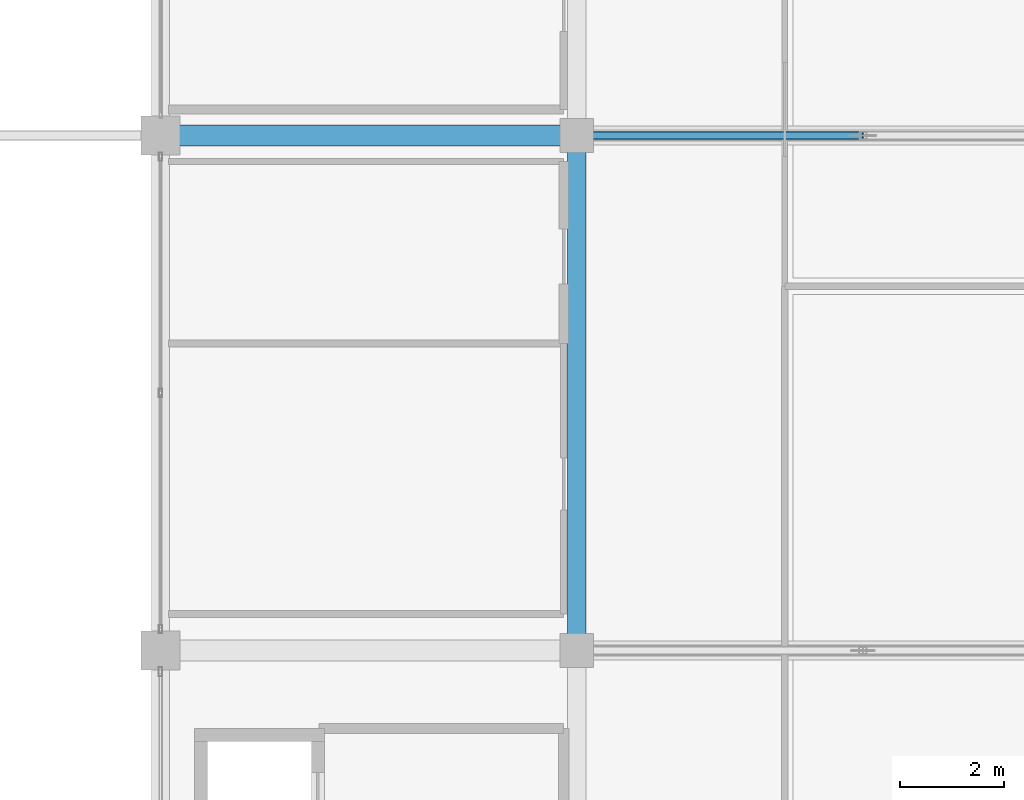
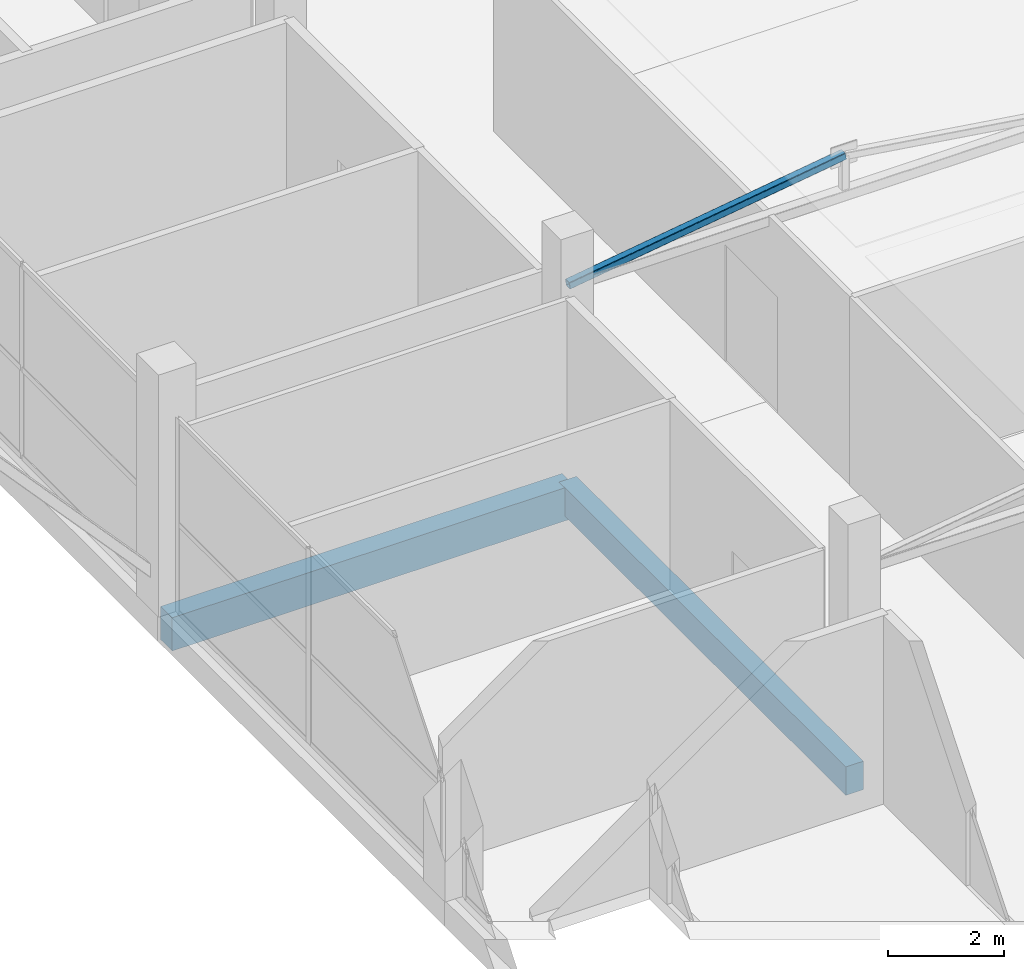
# One storey, part 20 of 67: 2 beams, 1 member.
"""IFC4 building model written with IfcOpenShell, lengths in metres."""

from ifc_helpers import new_model, si_unit, direction, frame, origin, origin_2d, place, context, subcontext, project, spatial, rectangle, hollow_rectangle, extrude, material, material_profile, profile_set, type_object, element, save


model = new_model("IFC4")

# Units and contexts
model_context = context("Model", 3, precision=1e-05, world=origin(), true_north=direction((0.0, 1.0)))
body_context = subcontext(model_context, "Body", "Model", "MODEL_VIEW")
ifc_project = project(units=[si_unit("LENGTHUNIT", "METRE"), si_unit("AREAUNIT", "SQUARE_METRE"), si_unit("VOLUMEUNIT", "CUBIC_METRE"), si_unit("PLANEANGLEUNIT", "RADIAN"), si_unit("MASSUNIT", "GRAM", prefix="KILO")], contexts=[model_context])

# Site, building, storey
site_placement = place(None, origin())
site = spatial("IfcSite", under=ifc_project, at=site_placement, CompositionType="ELEMENT")
building_placement = place(site_placement, origin())
building = spatial("IfcBuilding", under=site, at=building_placement, Name="Sillaruma Civic Art Gallery", CompositionType="ELEMENT")
storey_placement = place(building_placement, frame((0.0, 0.0, 46.919921875)))
storey = spatial("IfcBuildingStorey", under=building, at=storey_placement, Name="L09", CompositionType="ELEMENT", Elevation=46.919921875)

# Beams
ifc_material_1 = material(Name="Concrete H35 (35 MPa)", Category="concrete")
ifc_material_profile_1 = material_profile(ifc_material_1, rectangle(XDim=0.35009765625, YDim=0.60009765625, at=origin_2d()), Name="RCB350x600")
ifc_profile_set_1 = profile_set([ifc_material_profile_1], Name="Concrete H35 (35 MPa)")
beam_type_1 = type_object("IfcBeamType", Name="BM-BEAM-RCB350x600", PredefinedType="BEAM", material=ifc_profile_set_1)
beam_1_placement = place(storey_placement, frame((70.0, 49.5, -0.5498046875), z_axis=(0.0, 1.0, 0.0), x_axis=(-1.0, 0.0, 0.0)))
element("IfcBeam", 1, at=beam_1_placement, inside=storey, type_object=beam_type_1, Name="Beam BM-06 (L08:G:6-7)", PredefinedType="BEAM", context=body_context, shape_type="SweptSolid", body=[
    extrude(rectangle(XDim=0.35009765625, YDim=0.60009765625, at=origin_2d()), origin(), (0.0, 0.0, 1.0), 9.89990234375),
])
ifc_material_profile_2 = material_profile(ifc_material_1, rectangle(XDim=0.39990234375, YDim=0.699951171875, at=origin_2d()), Name="RCB400x700")
ifc_profile_set_2 = profile_set([ifc_material_profile_2], Name="Concrete H35 (35 MPa)")
beam_type_2 = type_object("IfcBeamType", Name="BM-BEAM-RCB400x700", PredefinedType="BEAM", material=ifc_profile_set_2)
beam_2_placement = place(storey_placement, frame((62.0, 59.39990234375, -0.599853515625), z_axis=(1.0, 0.0, 0.0), x_axis=(0.0, 1.0, 0.0)))
element("IfcBeam", 2, at=beam_2_placement, inside=storey, type_object=beam_type_2, Name="Beam BM-04 (L08:7:F-G)", PredefinedType="BEAM", context=body_context, shape_type="SweptSolid", body=[
    extrude(rectangle(XDim=0.39990234375, YDim=0.699951171875, at=origin_2d()), origin(), (0.0, 0.0, 1.0), 8.0),
])

# Member
ifc_material_2 = material(Name="Structural Steel ASTM A500 Gr.C", Category="steel")
ifc_material_profile_3 = material_profile(ifc_material_2, hollow_rectangle(XDim=0.14990234375, YDim=0.14990234375, WallThickness=0.010009765625, InnerFilletRadius=0.010009765625, OuterFilletRadius=0.02001953125, at=origin_2d()), Name="HSS150x150x10")
ifc_profile_set_3 = profile_set([ifc_material_profile_3], Name="Structural Steel ASTM A500 Gr.C")
member_type = type_object("IfcMemberType", Name="MEM-BRACE-HSS150x150x10", PredefinedType="BRACE", material=ifc_profile_set_3)
member_placement = place(storey_placement, frame((70.0, 59.39990234375, 3.860107421875), z_axis=(0.989384036218, 0.0, 0.145324563914), x_axis=(0.0, 1.0, 0.0)))
element("IfcMember", 3, at=member_placement, inside=storey, type_object=member_type, Name="Warren Truss Diagonal TR-L09-2-D1", PredefinedType="BRACE", context=body_context, shape_type="SweptSolid", body=[
    extrude(hollow_rectangle(XDim=0.14990234375, YDim=0.14990234375, WallThickness=0.010009765625, InnerFilletRadius=0.010009765625, OuterFilletRadius=0.02001953125, at=origin_2d()), origin(), (0.0, 0.0, 1.0), 5.55908203125),
])

save(model, "model.ifc")
